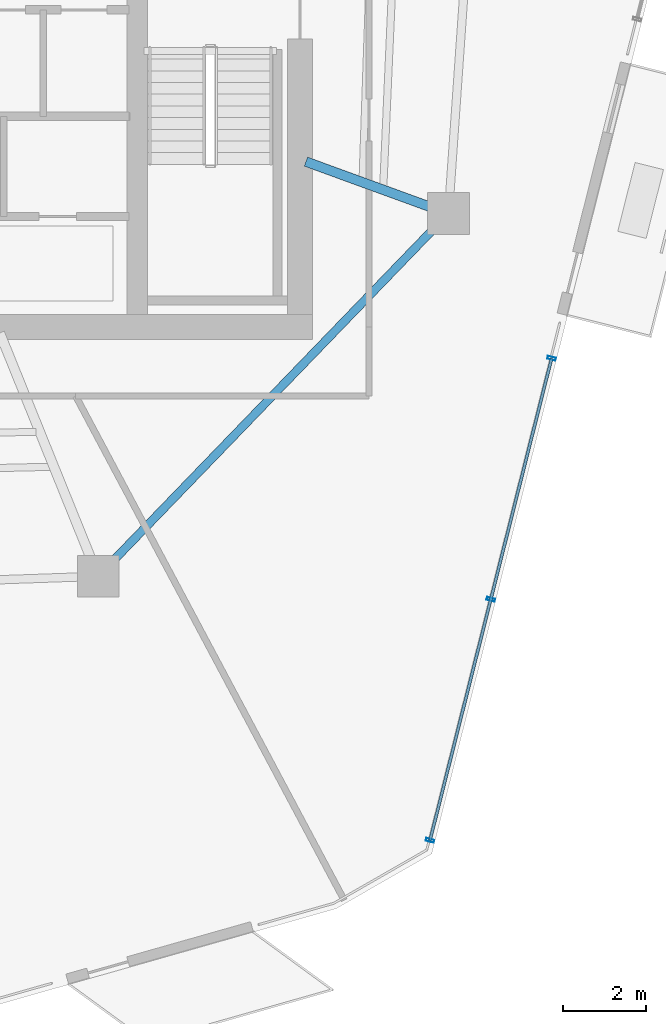
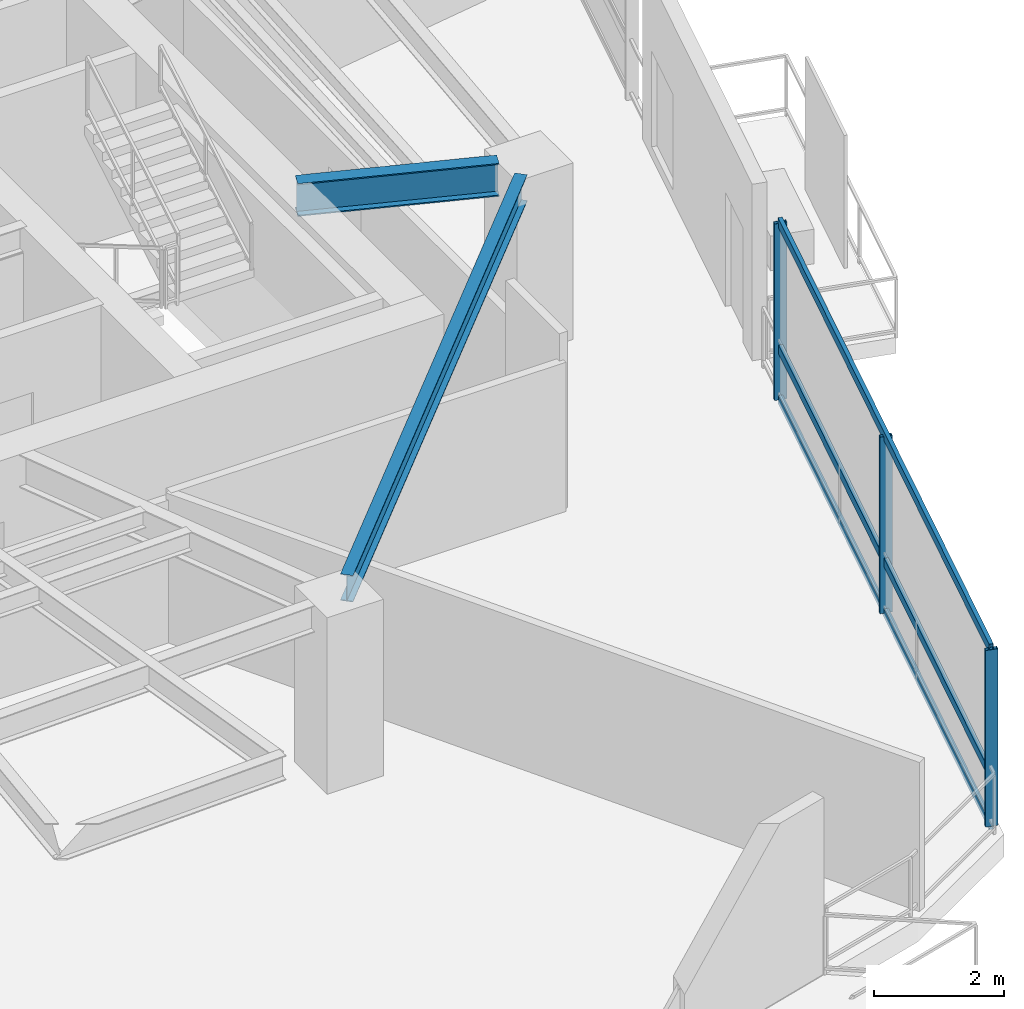
# One storey, part 6 of 19: 6 members, 2 beams, 1 element without a shape of its own.
"""IFC4 building model written with IfcOpenShell, lengths in metres."""

from ifc_helpers import new_model, si_unit, direction, frame, origin, origin_2d, place, context, subcontext, project, spatial, hollow_rectangle, i_section, extrude, material, layer, layer_set, material_profile, profile_set, type_object, element, aggregate, save


model = new_model("IFC4")

# Units and contexts
model_context = context("Model", 3, precision=1e-05, world=origin(), true_north=direction((0.0, 1.0)))
body_context = subcontext(model_context, "Body", "Model", "MODEL_VIEW")
ifc_project = project(units=[si_unit("LENGTHUNIT", "METRE"), si_unit("AREAUNIT", "SQUARE_METRE"), si_unit("VOLUMEUNIT", "CUBIC_METRE"), si_unit("PLANEANGLEUNIT", "RADIAN"), si_unit("MASSUNIT", "GRAM", prefix="KILO")], contexts=[model_context])

# Site, building, storey
site_placement = place(None, origin())
site = spatial("IfcSite", under=ifc_project, at=site_placement, CompositionType="ELEMENT")
building_placement = place(site_placement, origin())
building = spatial("IfcBuilding", under=site, at=building_placement, Name="Qarnah Convention Tower", CompositionType="ELEMENT")
storey_placement = place(building_placement, frame((0.0, 0.0, 125.699951171875)))
storey = spatial("IfcBuildingStorey", under=building, at=storey_placement, Name="L33", CompositionType="ELEMENT", Elevation=125.699951171875)

# Beams
ifc_material_1 = material(Name="Structural steel S355JR", Category="steel")
ifc_material_profile_1 = material_profile(ifc_material_1, i_section(OverallWidth=0.22998046875, OverallDepth=0.617919921875, WebThickness=0.012939453125, FlangeThickness=0.02197265625, at=origin_2d()), Name="W610X140")
ifc_profile_set_1 = profile_set([ifc_material_profile_1], Name="Structural steel S355JR")
beam_type_1 = type_object("IfcBeamType", Name="BM-RAD-W610A", PredefinedType="BEAM", material=ifc_profile_set_1)
beam_1_placement = place(storey_placement, frame((47.740966796875, 22.56396484375, 3.010986328125), z_axis=(0.939610124669, -0.342246714549, 0.0), x_axis=(0.342246714549, 0.939610124669, 0.0)))
element("IfcBeam", 1, at=beam_1_placement, inside=storey, type_object=beam_type_1, Name="L33 beam BM-L33-RAD-09", PredefinedType="BEAM", context=body_context, shape_type="SweptSolid", body=[
    extrude(i_section(OverallWidth=0.22998046875, OverallDepth=0.617919921875, WebThickness=0.012939453125, FlangeThickness=0.02197265625, at=origin_2d()), origin(), (0.0, 0.0, 1.0), 3.15234375),
])
ifc_material_profile_2 = material_profile(ifc_material_1, i_section(OverallWidth=0.199951171875, OverallDepth=0.5, WebThickness=0.010009765625, FlangeThickness=0.01611328125, at=origin_2d()), Name="IPE500")
ifc_profile_set_2 = profile_set([ifc_material_profile_2], Name="Structural steel S355JR")
beam_type_2 = type_object("IfcBeamType", Name="BM-SPN-IPE500", PredefinedType="SPANDREL", material=ifc_profile_set_2)
beam_2_placement = place(storey_placement, frame((43.10302734375, 12.98291015625, 3.070068359375), z_axis=(0.694605503013, 0.719390850084, 0.0), x_axis=(-0.719390850084, 0.694605503013, 0.0)))
element("IfcBeam", 2, at=beam_2_placement, inside=storey, type_object=beam_type_2, Name="L33 spandrel BM-L33-SPN-08", PredefinedType="SPANDREL", context=body_context, shape_type="SweptSolid", body=[
    extrude(i_section(OverallWidth=0.199951171875, OverallDepth=0.5, WebThickness=0.010009765625, FlangeThickness=0.01611328125, at=origin_2d()), origin(), (0.0, 0.0, 1.0), 11.10107421875),
])

# Curtain wall, members
ifc_material_2 = material(Name="Tempered Low-E dark glass", Category="glass")
ifc_layer = layer(ifc_material_2, 0.172119140625)
ifc_layer_set = layer_set([ifc_layer], Name="Tempered Low-E dark glass")
curtain_wall_type = type_object("IfcCurtainWallType", Name="CWS-03", PredefinedType="NOTDEFINED", material=ifc_layer_set)
curtain_wall_placement = place(storey_placement, origin())
curtain_wall = element("IfcCurtainWall", 3, at=curtain_wall_placement, inside=storey, type_object=curtain_wall_type, Name="L33 unitised curtain wall CW-L33-F3", PredefinedType="NOTDEFINED")
ifc_material_3 = material(Name="Black anodised aluminium", Category="aluminium")
ifc_material_profile_3 = material_profile(ifc_material_3, hollow_rectangle(XDim=0.070068359375, YDim=0.199951171875, WallThickness=0.0048828125, at=origin_2d()), Name="MUL-70X200")
ifc_profile_set_3 = profile_set([ifc_material_profile_3], Name="Black anodised aluminium")
member_type_1 = type_object("IfcMemberType", Name="MUL-T3", PredefinedType="MULLION", material=ifc_profile_set_3)
member_1_placement = place(storey_placement, frame((53.6259765625, 17.85302734375, 0.0), z_axis=(0.0, 0.0, 1.0), x_axis=(-0.244589757904, -0.969626655125, 0.0)))
member_1 = element("IfcMember", 4, at=member_1_placement, type_object=member_type_1, Name="CW-L33-F3 mullion 1", PredefinedType="MULLION", context=body_context, shape_type="SweptSolid", body=[
    extrude(hollow_rectangle(XDim=0.070068359375, YDim=0.199951171875, WallThickness=0.0048828125, at=origin_2d()), origin(), (0.0, 0.0, 1.0), 3.320068359375),
])
member_2_placement = place(storey_placement, frame((52.16943359375, 12.0791015625, 0.0), z_axis=(0.0, 0.0, 1.0), x_axis=(-0.244589757904, -0.969626655125, 0.0)))
member_2 = element("IfcMember", 5, at=member_2_placement, type_object=member_type_1, Name="CW-L33-F3 mullion 2", PredefinedType="MULLION", context=body_context, shape_type="SweptSolid", body=[
    extrude(hollow_rectangle(XDim=0.070068359375, YDim=0.199951171875, WallThickness=0.0048828125, at=origin_2d()), origin(), (0.0, 0.0, 1.0), 3.320068359375),
])
member_3_placement = place(storey_placement, frame((50.712890625, 6.304931640625, 0.0), z_axis=(0.0, 0.0, 1.0), x_axis=(-0.244589757904, -0.969626655125, 0.0)))
member_3 = element("IfcMember", 6, at=member_3_placement, type_object=member_type_1, Name="CW-L33-F3 mullion 3", PredefinedType="MULLION", context=body_context, shape_type="SweptSolid", body=[
    extrude(hollow_rectangle(XDim=0.070068359375, YDim=0.199951171875, WallThickness=0.0048828125, at=origin_2d()), origin(), (0.0, 0.0, 1.0), 3.320068359375),
])
ifc_material_profile_4 = material_profile(ifc_material_3, hollow_rectangle(XDim=0.070068359375, YDim=0.169921875, WallThickness=0.0048828125, at=origin_2d()), Name="TRN-70X170")
ifc_profile_set_4 = profile_set([ifc_material_profile_4], Name="Black anodised aluminium")
member_type_2 = type_object("IfcMemberType", Name="TRN-T3", PredefinedType="USERDEFINED", material=ifc_profile_set_4)
member_4_placement = place(storey_placement, frame((53.6259765625, 17.85302734375, 0.0), z_axis=(-0.244594629817, -0.969625426164, 0.0), x_axis=(0.969625426164, -0.244594629817, 0.0)))
member_4 = element("IfcMember", 7, at=member_4_placement, type_object=member_type_2, Name="CW-L33-F3 transom 1", ObjectType="TRANSOM", PredefinedType="USERDEFINED", context=body_context, shape_type="SweptSolid", body=[
    extrude(hollow_rectangle(XDim=0.070068359375, YDim=0.169921875, WallThickness=0.0048828125, at=origin_2d()), origin(), (0.0, 0.0, 1.0), 11.909912109375),
])
member_5_placement = place(storey_placement, frame((53.6259765625, 17.85302734375, 0.949951171875), z_axis=(-0.244594629817, -0.969625426164, 0.0), x_axis=(0.969625426164, -0.244594629817, 0.0)))
member_5 = element("IfcMember", 8, at=member_5_placement, type_object=member_type_2, Name="CW-L33-F3 transom 2", ObjectType="TRANSOM", PredefinedType="USERDEFINED", context=body_context, shape_type="SweptSolid", body=[
    extrude(hollow_rectangle(XDim=0.070068359375, YDim=0.169921875, WallThickness=0.0048828125, at=origin_2d()), origin(), (0.0, 0.0, 1.0), 11.909912109375),
])
member_6_placement = place(storey_placement, frame((53.6259765625, 17.85302734375, 3.320068359375), z_axis=(-0.244594629817, -0.969625426164, 0.0), x_axis=(0.969625426164, -0.244594629817, 0.0)))
member_6 = element("IfcMember", 9, at=member_6_placement, type_object=member_type_2, Name="CW-L33-F3 transom 3", ObjectType="TRANSOM", PredefinedType="USERDEFINED", context=body_context, shape_type="SweptSolid", body=[
    extrude(hollow_rectangle(XDim=0.070068359375, YDim=0.169921875, WallThickness=0.0048828125, at=origin_2d()), origin(), (0.0, 0.0, 1.0), 11.909912109375),
])
aggregate(curtain_wall, [member_1, member_2, member_3, member_4, member_5, member_6])

save(model, "model.ifc")
